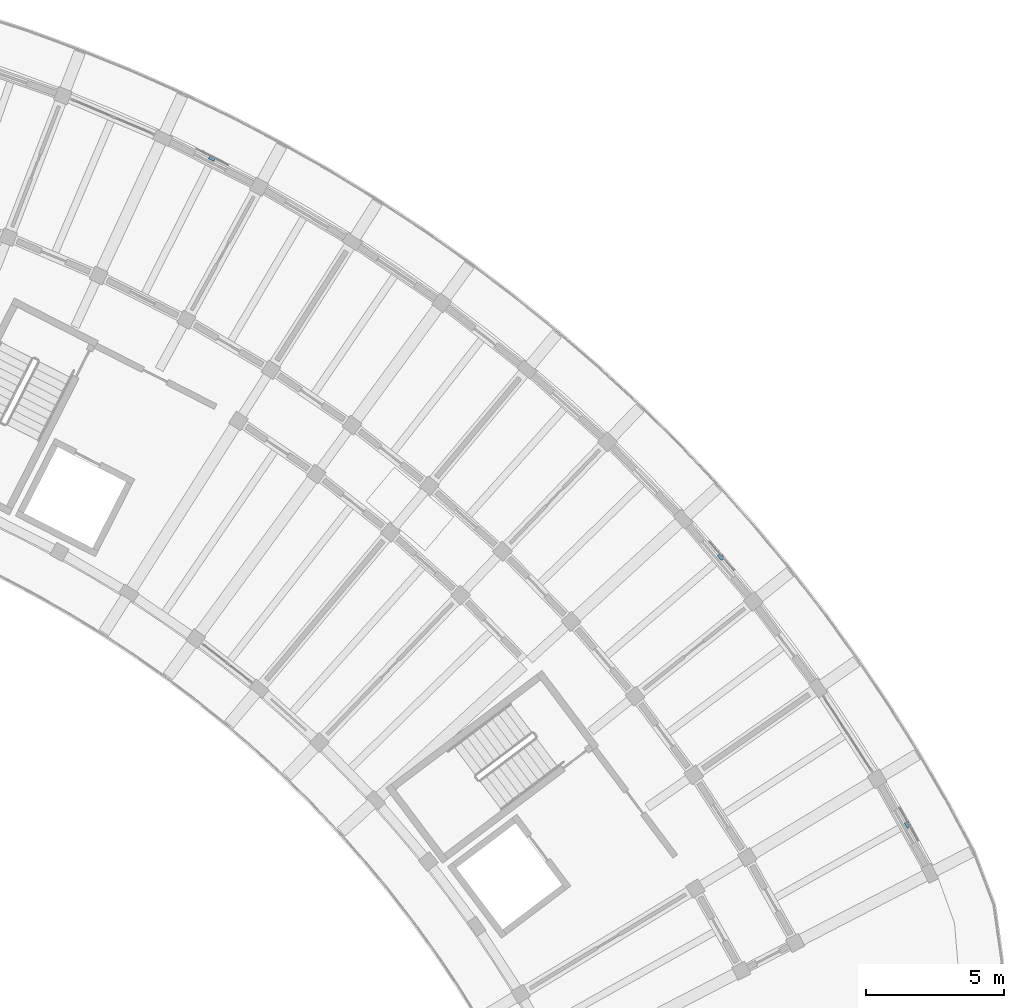
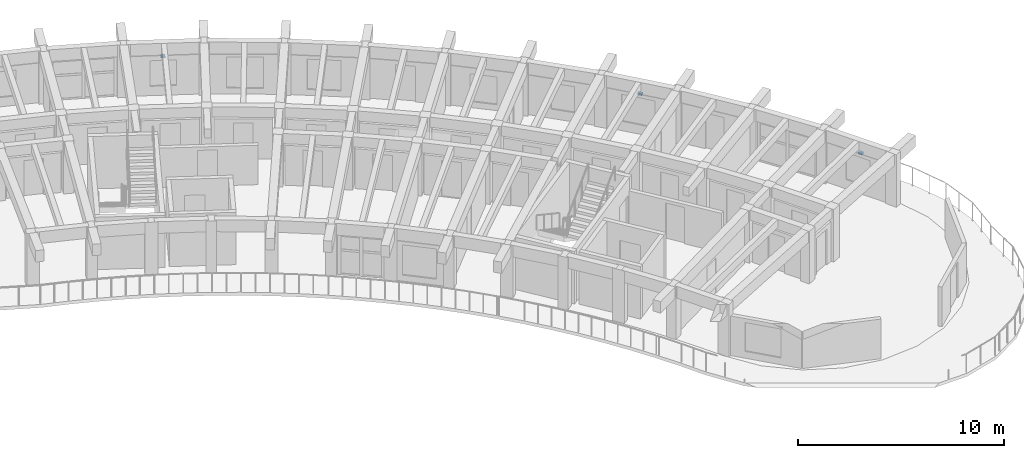
# One storey, part 28 of 36: 3 discrete accessories.
"""IFC4 building model written with IfcOpenShell, lengths in metres."""

from ifc_helpers import new_model, si_unit, direction, frame, origin, origin_2d, place, context, subcontext, project, spatial, rectangle, extrude, material, type_object, element, save


model = new_model("IFC4")

# Units and contexts
model_context = context("Model", 3, precision=1e-05, world=origin(), true_north=direction((0.0, 1.0)))
body_context = subcontext(model_context, "Body", "Model", "MODEL_VIEW")
ifc_project = project(units=[si_unit("LENGTHUNIT", "METRE"), si_unit("AREAUNIT", "SQUARE_METRE"), si_unit("VOLUMEUNIT", "CUBIC_METRE"), si_unit("PLANEANGLEUNIT", "RADIAN"), si_unit("MASSUNIT", "GRAM", prefix="KILO")], contexts=[model_context])

# Site, building, storey
site_placement = place(None, origin())
site = spatial("IfcSite", under=ifc_project, at=site_placement, CompositionType="ELEMENT")
building_placement = place(site_placement, origin())
building = spatial("IfcBuilding", under=site, at=building_placement, Name="Tanwirah Colonnade Gardens", CompositionType="ELEMENT")
storey_placement = place(building_placement, frame((0.0, 0.0, 39.080078125)))
storey = spatial("IfcBuildingStorey", under=building, at=storey_placement, Name="L11", CompositionType="ELEMENT", Elevation=39.080078125)

# Discrete accessories
ifc_material = material(Name="Steel S355", Category="steel")
discrete_accessory_type = type_object("IfcDiscreteAccessoryType", Name="BRK-SS1", PredefinedType="BRACKET", material=ifc_material)
for number, where, z_axis, x_axis, name in (
    (1, (173.098388671875, 89.30615234375, 2.159912109375), (0.0, 0.0, 1.0), (-0.488197617823, 0.872733112671, 0.0), "Solar screen support bracket B-L11-03"),
    (2, (166.320556640625, 99.026123046875, 2.159912109375), (0.0, 0.0, 1.0), (-0.650186820007, 0.759774373804, 0.0), "Solar screen support bracket B-L11-06"),
    (3, (147.857666015625, 113.492431640625, 2.06982421875), (0.0, 0.0, 1.0), (-0.892760732923, 0.450531101868, 0.0), "Solar screen support bracket B-L11-12"),
):
    element("IfcDiscreteAccessory", number, at=place(storey_placement, frame(where, z_axis=z_axis, x_axis=x_axis)), inside=storey, type_object=discrete_accessory_type, Name=name, PredefinedType="BRACKET", context=body_context, shape_type="SweptSolid", body=[
        extrude(rectangle(XDim=0.219970703125, YDim=0.159912109375, at=origin_2d()), origin(), (0.0, 0.0, 1.0), 0.1201171875),
    ])

save(model, "model.ifc")
